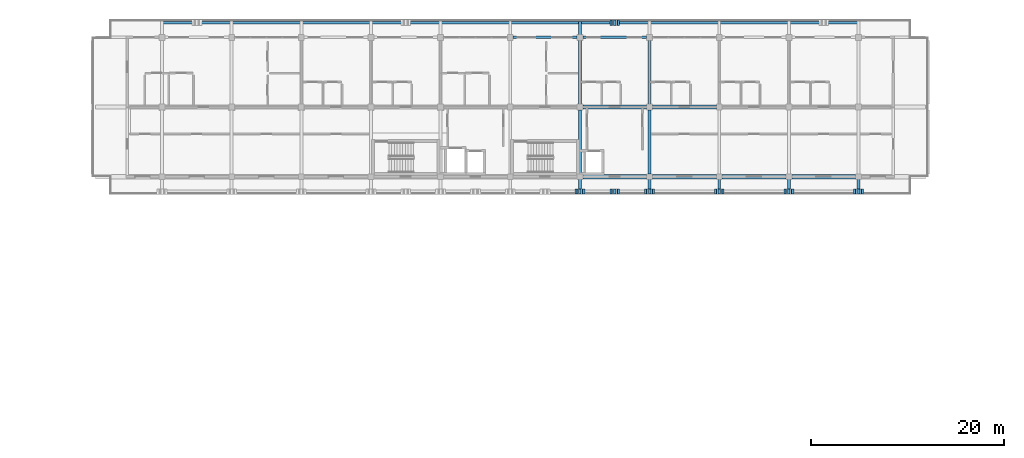
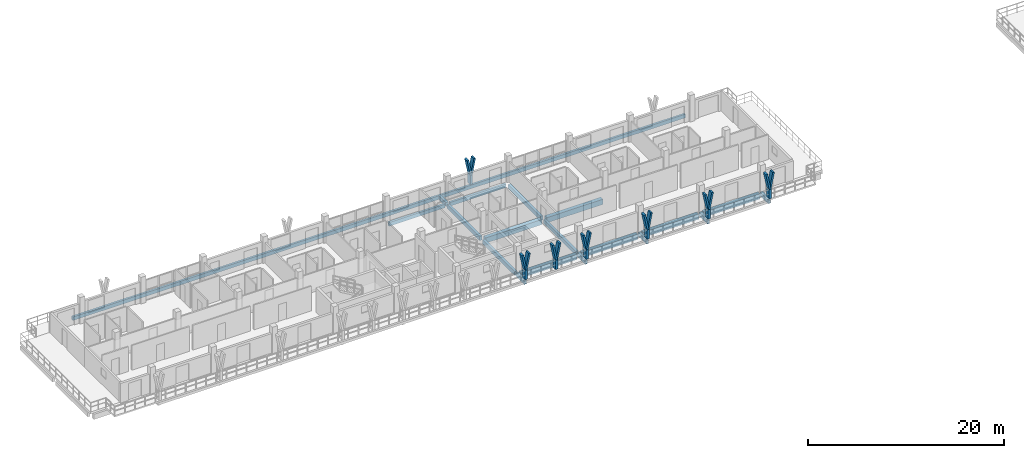
# One storey, part 11 of 60: 21 members, 19 beams.
"""IFC4 building model written with IfcOpenShell, lengths in metres."""

from ifc_helpers import new_model, si_unit, direction, frame, origin, origin_2d, place, context, subcontext, project, spatial, rectangle, extrude, material, material_profile, profile_set, type_object, element, save


model = new_model("IFC4")

# Units and contexts
model_context = context("Model", 3, precision=1e-05, world=origin(), true_north=direction((0.0, 1.0)))
body_context = subcontext(model_context, "Body", "Model", "MODEL_VIEW")
ifc_project = project(units=[si_unit("LENGTHUNIT", "METRE"), si_unit("AREAUNIT", "SQUARE_METRE"), si_unit("VOLUMEUNIT", "CUBIC_METRE"), si_unit("PLANEANGLEUNIT", "RADIAN"), si_unit("MASSUNIT", "GRAM", prefix="KILO")], contexts=[model_context])

# Site, building, storey
site_placement = place(None, origin())
site = spatial("IfcSite", under=ifc_project, at=site_placement, CompositionType="ELEMENT")
building_placement = place(site_placement, origin())
building = spatial("IfcBuilding", under=site, at=building_placement, Name="Suanplinth Sawtooth Commons", CompositionType="ELEMENT")
storey_placement = place(building_placement, frame((0.0, 0.0, 31.5)))
storey = spatial("IfcBuildingStorey", under=building, at=storey_placement, Name="L09", CompositionType="ELEMENT", Elevation=31.5)

# Beams
ifc_material_1 = material(Name="Precast concrete C40/50", Category="concrete")
ifc_material_profile_1 = material_profile(ifc_material_1, rectangle(XDim=0.449951171875, YDim=0.64990234375, at=origin_2d()), Name="PC-GDR 450x650")
ifc_profile_set_1 = profile_set([ifc_material_profile_1], Name="Precast concrete C40/50")
beam_type_1 = type_object("IfcBeamType", Name="B-04", PredefinedType="USERDEFINED", material=ifc_profile_set_1)
for number, where, z_axis, x_axis, name in (
    (1, (65.10009765625, 108.0, -0.574951171875), (1.0, 0.0, 0.0), (0.0, 1.0, 0.0), "BMX-L09-A-9-15"),
    (2, (65.10009765625, 115.199951171875, -0.574951171875), (1.0, 0.0, 0.0), (0.0, 1.0, 0.0), "BMX-L09-A-9-16"),
    (3, (72.300048828125, 108.0, -0.574951171875), (1.0, 0.0, 0.0), (0.0, 1.0, 0.0), "BMX-L09-A-10-15"),
    (4, (72.300048828125, 115.199951171875, -0.574951171875), (1.0, 0.0, 0.0), (0.0, 1.0, 0.0), "BMX-L09-A-10-16"),
):
    element("IfcBeam", number, at=place(storey_placement, frame(where, z_axis=z_axis, x_axis=x_axis)), inside=storey, type_object=beam_type_1, Name=name, ObjectType="GIRDER", PredefinedType="USERDEFINED", context=body_context, shape_type="SweptSolid", body=[
        extrude(rectangle(XDim=0.449951171875, YDim=0.64990234375, at=origin_2d()), origin(), (0.0, 0.0, 1.0), 6.599853515625),
    ])
for number, where, z_axis, x_axis, name in (
    (5, (79.5, 108.0, -0.574951171875), (1.0, 0.0, 0.0), (0.0, 1.0, 0.0), "BMX-L09-A-11-15"),
    (6, (86.699951171875, 108.0, -0.574951171875), (1.0, 0.0, 0.0), (0.0, 1.0, 0.0), "BMX-L09-A-12-15"),
):
    element("IfcBeam", number, at=place(storey_placement, frame(where, z_axis=z_axis, x_axis=x_axis)), inside=storey, type_object=beam_type_1, Name=name, ObjectType="GIRDER", PredefinedType="USERDEFINED", context=body_context, shape_type="SweptSolid", body=[
        extrude(rectangle(XDim=0.449951171875, YDim=0.64990234375, at=origin_2d()), origin(), (0.0, 0.0, 1.0), 6.60009765625),
    ])
ifc_material_profile_2 = material_profile(ifc_material_1, rectangle(XDim=0.300048828125, YDim=0.5, at=origin_2d()), Name="PC-BM 300x500")
ifc_profile_set_2 = profile_set([ifc_material_profile_2], Name="Precast concrete C40/50")
beam_type_2 = type_object("IfcBeamType", Name="B-07", PredefinedType="BEAM", material=ifc_profile_set_2)
beam_1_placement = place(storey_placement, frame((64.800048828125, 108.300048828125, -0.5), z_axis=(0.0, 1.0, 0.0), x_axis=(-1.0, 0.0, 0.0)))
element("IfcBeam", 7, at=beam_1_placement, inside=storey, type_object=beam_type_2, Name="BMY-L09-A-9-15", PredefinedType="BEAM", context=body_context, shape_type="SweptSolid", body=[
    extrude(rectangle(XDim=0.300048828125, YDim=0.5, at=origin_2d()), origin(), (0.0, 0.0, 1.0), 6.599853515625),
])
beam_2_placement = place(storey_placement, frame((64.800048828125, 115.5, -0.5), z_axis=(0.0, 1.0, 0.0), x_axis=(-1.0, 0.0, 0.0)))
element("IfcBeam", 8, at=beam_2_placement, inside=storey, type_object=beam_type_2, Name="BMY-L09-A-9-16", PredefinedType="BEAM", context=body_context, shape_type="SweptSolid", body=[
    extrude(rectangle(XDim=0.300048828125, YDim=0.5, at=origin_2d()), origin(), (0.0, 0.0, 1.0), 6.60009765625),
])
beam_3_placement = place(storey_placement, frame((72.0, 108.300048828125, -0.5), z_axis=(0.0, 1.0, 0.0), x_axis=(-1.0, 0.0, 0.0)))
element("IfcBeam", 9, at=beam_3_placement, inside=storey, type_object=beam_type_2, Name="BMY-L09-A-10-15", PredefinedType="BEAM", context=body_context, shape_type="SweptSolid", body=[
    extrude(rectangle(XDim=0.300048828125, YDim=0.5, at=origin_2d()), origin(), (0.0, 0.0, 1.0), 6.599853515625),
])
beam_4_placement = place(storey_placement, frame((72.0, 115.5, -0.5), z_axis=(0.0, 1.0, 0.0), x_axis=(-1.0, 0.0, 0.0)))
element("IfcBeam", 10, at=beam_4_placement, inside=storey, type_object=beam_type_2, Name="BMY-L09-A-10-16", PredefinedType="BEAM", context=body_context, shape_type="SweptSolid", body=[
    extrude(rectangle(XDim=0.300048828125, YDim=0.5, at=origin_2d()), origin(), (0.0, 0.0, 1.0), 6.60009765625),
])
beam_5_placement = place(storey_placement, frame((64.800048828125, 122.39990234375, -0.429931640625), z_axis=(0.0, 1.0, 0.0), x_axis=(-1.0, 0.0, 0.0)))
element("IfcBeam", 11, at=beam_5_placement, inside=storey, type_object=beam_type_2, Name="Balcony Outrigger L09-A-N-9", PredefinedType="BEAM", context=body_context, shape_type="SweptSolid", body=[
    extrude(rectangle(XDim=0.300048828125, YDim=0.5, at=origin_2d()), origin(), (0.0, 0.0, 1.0), 1.64013671875),
])
for number, where, z_axis, x_axis, name in (
    (12, (64.800048828125, 108.0, -0.429931640625), (0.0, -1.0, 0.0), (1.0, 0.0, 0.0), "Balcony Outrigger L09-A-S-9"),
    (13, (72.0, 108.0, -0.429931640625), (0.0, -1.0, 0.0), (1.0, 0.0, 0.0), "Balcony Outrigger L09-A-S-10"),
    (14, (79.199951171875, 108.0, -0.429931640625), (0.0, -1.0, 0.0), (1.0, 0.0, 0.0), "Balcony Outrigger L09-A-S-11"),
    (15, (86.39990234375, 108.0, -0.429931640625), (0.0, -1.0, 0.0), (1.0, 0.0, 0.0), "Balcony Outrigger L09-A-S-12"),
    (16, (93.60009765625, 108.0, -0.429931640625), (0.0, -1.0, 0.0), (1.0, 0.0, 0.0), "Balcony Outrigger L09-A-S-13"),
):
    element("IfcBeam", number, at=place(storey_placement, frame(where, z_axis=z_axis, x_axis=x_axis)), inside=storey, type_object=beam_type_2, Name=name, PredefinedType="BEAM", context=body_context, shape_type="SweptSolid", body=[
        extrude(rectangle(XDim=0.300048828125, YDim=0.5, at=origin_2d()), origin(), (0.0, 0.0, 1.0), 1.639892578125),
    ])
ifc_material_profile_3 = material_profile(ifc_material_1, rectangle(XDim=0.25, YDim=0.449951171875, at=origin_2d()), Name="PC-SP 250x450")
ifc_profile_set_3 = profile_set([ifc_material_profile_3], Name="Precast concrete C40/50")
beam_type_3 = type_object("IfcBeamType", Name="B-09", PredefinedType="SPANDREL", material=ifc_profile_set_3)
beam_6_placement = place(storey_placement, frame((57.89990234375, 122.39990234375, -0.47509765625), z_axis=(1.0, 0.0, 0.0), x_axis=(0.0, 1.0, 0.0)))
element("IfcBeam", 17, at=beam_6_placement, inside=storey, type_object=beam_type_3, Name="BMX-L09-A-8-17", PredefinedType="SPANDREL", context=body_context, shape_type="SweptSolid", body=[
    extrude(rectangle(XDim=0.25, YDim=0.449951171875, at=origin_2d()), origin(), (0.0, 0.0, 1.0), 6.60009765625),
])
beam_7_placement = place(storey_placement, frame((65.10009765625, 122.39990234375, -0.47509765625), z_axis=(1.0, 0.0, 0.0), x_axis=(0.0, 1.0, 0.0)))
element("IfcBeam", 18, at=beam_7_placement, inside=storey, type_object=beam_type_3, Name="BMX-L09-A-9-17", PredefinedType="SPANDREL", context=body_context, shape_type="SweptSolid", body=[
    extrude(rectangle(XDim=0.25, YDim=0.449951171875, at=origin_2d()), origin(), (0.0, 0.0, 1.0), 6.599853515625),
])
beam_8_placement = place(storey_placement, frame((21.449951171875, 123.919921875, -0.405029296875), z_axis=(1.0, 0.0, 0.0), x_axis=(0.0, 1.0, 0.0)))
element("IfcBeam", 19, at=beam_8_placement, inside=storey, type_object=beam_type_3, Name="Balcony Edge Fascia L09-A-N", PredefinedType="SPANDREL", context=body_context, shape_type="SweptSolid", body=[
    extrude(rectangle(XDim=0.25, YDim=0.449951171875, at=origin_2d()), origin(), (0.0, 0.0, 1.0), 72.300048828125),
])

# Members
ifc_material_2 = material(Name="Pigmented precast concrete C40/50", Category="concrete")
ifc_material_profile_4 = material_profile(ifc_material_2, rectangle(XDim=0.260009765625, YDim=0.550048828125, at=origin_2d()), Name="PC-FIN 260x550")
ifc_profile_set_4 = profile_set([ifc_material_profile_4], Name="Pigmented precast concrete C40/50")
member_type_1 = type_object("IfcMemberType", Name="M-09", PredefinedType="USERDEFINED", material=ifc_profile_set_4)
for number, where, z_axis, x_axis, name in (
    (20, (68.39990234375, 123.919921875, 0.0), (0.0, 0.0, 1.0), (1.0, 0.0, 0.0), "Y-Blade Stem L09-A-N-03"),
    (21, (64.800048828125, 106.47998046875, 0.0), (0.0, 0.0, 1.0), (1.0, 0.0, 0.0), "Y-Blade Stem L09-A-S-14"),
    (22, (68.39990234375, 106.47998046875, 0.0), (0.0, 0.0, 1.0), (1.0, 0.0, 0.0), "Y-Blade Stem L09-A-S-15"),
    (23, (72.0, 106.47998046875, 0.0), (0.0, 0.0, 1.0), (1.0, 0.0, 0.0), "Y-Blade Stem L09-A-S-16"),
    (24, (79.199951171875, 106.47998046875, 0.0), (0.0, 0.0, 1.0), (1.0, 0.0, 0.0), "Y-Blade Stem L09-A-S-17"),
    (25, (86.39990234375, 106.47998046875, 0.0), (0.0, 0.0, 1.0), (1.0, 0.0, 0.0), "Y-Blade Stem L09-A-S-18"),
    (26, (93.60009765625, 106.47998046875, 0.0), (0.0, 0.0, 1.0), (1.0, 0.0, 0.0), "Y-Blade Stem L09-A-S-19"),
):
    element("IfcMember", number, at=place(storey_placement, frame(where, z_axis=z_axis, x_axis=x_axis)), inside=storey, type_object=member_type_1, Name=name, ObjectType="SHADING FIN", PredefinedType="USERDEFINED", context=body_context, shape_type="SweptSolid", body=[
        extrude(rectangle(XDim=0.260009765625, YDim=0.550048828125, at=origin_2d()), origin(), (0.0, 0.0, 1.0), 1.169921875),
    ])
ifc_material_profile_5 = material_profile(ifc_material_2, rectangle(XDim=0.219970703125, YDim=0.550048828125, at=origin_2d()), Name="PC-FIN 220x550")
ifc_profile_set_5 = profile_set([ifc_material_profile_5], Name="Pigmented precast concrete C40/50")
member_type_2 = type_object("IfcMemberType", Name="M-10", PredefinedType="USERDEFINED", material=ifc_profile_set_5)
for number, where, z_axis, x_axis, name in (
    (27, (68.39990234375, 123.919921875, 1.1298828125), (-0.196415357203, 0.0, 0.980520783795), (0.980520783795, 0.0, 0.196415357203), "Y-Blade Arm L L09-A-N-03"),
    (28, (68.39990234375, 123.919921875, 1.1298828125), (0.196530428008, 0.0, 0.98049772609), (-0.98049772609, 0.0, 0.196530428008), "Y-Blade Arm R L09-A-N-03"),
    (29, (64.800048828125, 106.47998046875, 1.1298828125), (-0.196530428008, 0.0, 0.98049772609), (0.98049772609, 0.0, 0.196530428008), "Y-Blade Arm L L09-A-S-14"),
    (30, (64.800048828125, 106.47998046875, 1.1298828125), (0.196415357203, 0.0, 0.980520783795), (-0.980520783795, 0.0, 0.196415357203), "Y-Blade Arm R L09-A-S-14"),
    (31, (68.39990234375, 106.47998046875, 1.1298828125), (-0.196415357203, 0.0, 0.980520783795), (0.980520783795, 0.0, 0.196415357203), "Y-Blade Arm L L09-A-S-15"),
    (32, (68.39990234375, 106.47998046875, 1.1298828125), (0.196530428008, 0.0, 0.98049772609), (-0.98049772609, 0.0, 0.196530428008), "Y-Blade Arm R L09-A-S-15"),
    (33, (72.0, 106.47998046875, 1.1298828125), (-0.196530428008, 0.0, 0.98049772609), (0.98049772609, 0.0, 0.196530428008), "Y-Blade Arm L L09-A-S-16"),
    (34, (72.0, 106.47998046875, 1.1298828125), (0.196530428008, 0.0, 0.98049772609), (-0.98049772609, 0.0, 0.196530428008), "Y-Blade Arm R L09-A-S-16"),
    (35, (79.199951171875, 106.47998046875, 1.1298828125), (-0.196415357203, 0.0, 0.980520783795), (0.980520783795, 0.0, 0.196415357203), "Y-Blade Arm L L09-A-S-17"),
    (36, (79.199951171875, 106.47998046875, 1.1298828125), (0.196530428008, 0.0, 0.98049772609), (-0.98049772609, 0.0, 0.196530428008), "Y-Blade Arm R L09-A-S-17"),
    (37, (86.39990234375, 106.47998046875, 1.1298828125), (-0.196415357203, 0.0, 0.980520783795), (0.980520783795, 0.0, 0.196415357203), "Y-Blade Arm L L09-A-S-18"),
    (38, (86.39990234375, 106.47998046875, 1.1298828125), (0.196530428008, 0.0, 0.98049772609), (-0.98049772609, 0.0, 0.196530428008), "Y-Blade Arm R L09-A-S-18"),
    (39, (93.60009765625, 106.47998046875, 1.1298828125), (-0.196530428008, 0.0, 0.98049772609), (0.98049772609, 0.0, 0.196530428008), "Y-Blade Arm L L09-A-S-19"),
    (40, (93.60009765625, 106.47998046875, 1.1298828125), (0.196415357203, 0.0, 0.980520783795), (-0.980520783795, 0.0, 0.196415357203), "Y-Blade Arm R L09-A-S-19"),
):
    element("IfcMember", number, at=place(storey_placement, frame(where, z_axis=z_axis, x_axis=x_axis)), inside=storey, type_object=member_type_2, Name=name, ObjectType="SHADING FIN", PredefinedType="USERDEFINED", context=body_context, shape_type="SweptSolid", body=[
        extrude(rectangle(XDim=0.219970703125, YDim=0.550048828125, at=origin_2d()), origin(), (0.0, 0.0, 1.0), 2.039794921875),
    ])

save(model, "model.ifc")
